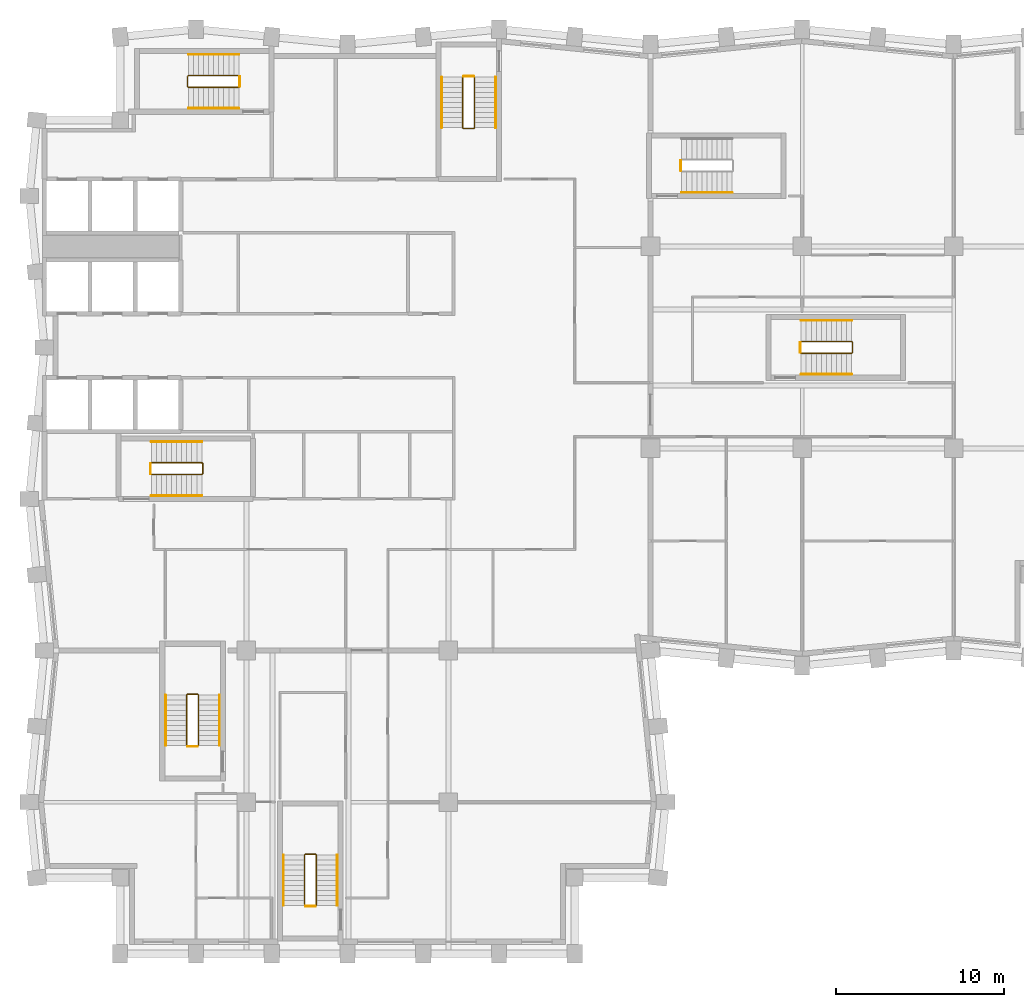
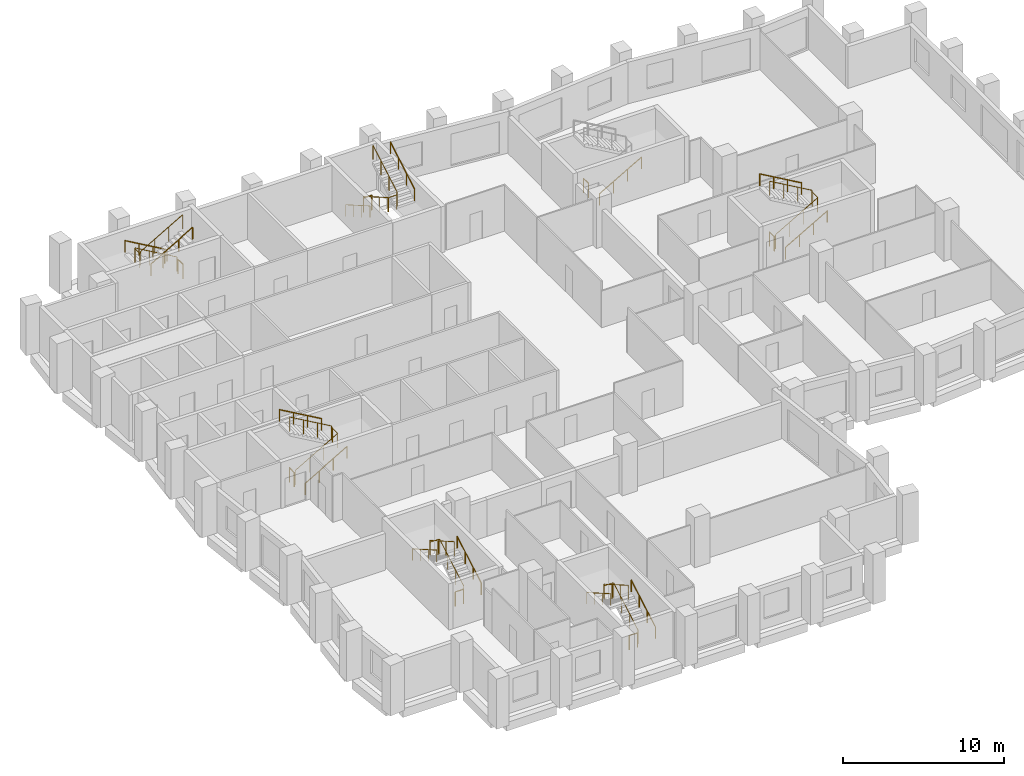
# One storey, part 9 of 10: 26 railings.
"""IFC4 building model written with IfcOpenShell, lengths in metres."""

from ifc_helpers import new_model, si_unit, direction, frame, origin, origin_2d, place, context, subcontext, project, spatial, circle, extrude, material, type_object, element, save


model = new_model("IFC4")

# Units and contexts
model_context = context("Model", 3, precision=1e-05, world=origin(), true_north=direction((0.0, 1.0)))
body_context = subcontext(model_context, "Body", "Model", "MODEL_VIEW")
ifc_project = project(units=[si_unit("LENGTHUNIT", "METRE"), si_unit("AREAUNIT", "SQUARE_METRE"), si_unit("VOLUMEUNIT", "CUBIC_METRE"), si_unit("PLANEANGLEUNIT", "RADIAN"), si_unit("MASSUNIT", "GRAM", prefix="KILO")], contexts=[model_context])

# Site, building, storey
site_placement = place(None, origin())
site = spatial("IfcSite", under=ifc_project, at=site_placement, CompositionType="ELEMENT")
building_placement = place(site_placement, origin())
building = spatial("IfcBuilding", under=site, at=building_placement, Name="Brondeck Convention Tower", CompositionType="ELEMENT")
storey_placement = place(building_placement, frame((0.0, 0.0, 170.0)))
storey = spatial("IfcBuildingStorey", under=building, at=storey_placement, Name="L41", CompositionType="ELEMENT", Elevation=170.0)

# Railings
ifc_material = material(Name="Steel S355", Category="steel")
railing_type_1 = type_object("IfcRailingType", Name="Stair guard 1100", PredefinedType="GUARDRAIL", material=ifc_material)
railing_1_placement = place(storey_placement, frame((6.35009765625, 37.449951171875, 0.172607421875)))
element("IfcRailing", 1, at=railing_1_placement, inside=storey, type_object=railing_type_1, Name="L41 ST-1 stair guard 1", PredefinedType="GUARDRAIL", context=body_context, shape_type="SweptSolid", body=[
    extrude(circle(Radius=0.02392578125, at=origin_2d()), frame((0.0, 0.0, 1.076171875), z_axis=(0.866619684472, 0.0, 0.498969260062), x_axis=(0.0, 1.0, 0.0)), (0.0, 0.0, 1.0), 3.461669921875),
    extrude(circle(Radius=0.02392578125, at=origin_2d()), frame((3.0, 0.0, 2.80322265625), z_axis=(0.705375805398, 0.708833529934, 0.0), x_axis=(-0.708833529934, 0.705375805398, 0.0)), (0.0, 0.0, 1.0), 0.070556640625),
    extrude(circle(Radius=0.02392578125, at=origin_2d()), frame((3.0498046875, 0.050048828125, 2.80322265625), z_axis=(0.0, 1.0, 0.0), x_axis=(-1.0, 0.0, 0.0)), (0.0, 0.0, 1.0), 0.60009765625),
    extrude(circle(Radius=0.02392578125, at=origin_2d()), frame((3.0498046875, 0.650146484375, 2.80322265625), z_axis=(-0.266832911964, 0.266832911964, 0.926067165051), x_axis=(-0.707106781187, -0.707106781187, 0.0)), (0.0, 0.0, 1.0), 0.186767578125),
    extrude(circle(Radius=0.02392578125, at=origin_2d()), frame((3.0, 0.699951171875, 2.97607421875), z_axis=(-0.866619684472, 0.0, 0.498969260062), x_axis=(0.0, -1.0, 0.0)), (0.0, 0.0, 1.0), 3.461669921875),
    extrude(circle(Radius=0.02099609375, at=origin_2d()), origin(), (0.0, 0.0, 1.0), 1.052001953125),
    extrude(circle(Radius=0.02099609375, at=origin_2d()), frame((1.0, 0.0, 0.57568359375)), (0.0, 0.0, 1.0), 1.052001953125),
    extrude(circle(Radius=0.02099609375, at=origin_2d()), frame((2.0, 0.0, 1.151611328125)), (0.0, 0.0, 1.0), 1.052001953125),
    extrude(circle(Radius=0.02099609375, at=origin_2d()), frame((3.0, 0.0, 1.727294921875)), (0.0, 0.0, 1.0), 1.052001953125),
    extrude(circle(Radius=0.02099609375, at=origin_2d()), frame((3.0498046875, 0.050048828125, 1.727294921875)), (0.0, 0.0, 1.0), 1.052001953125),
    extrude(circle(Radius=0.02099609375, at=origin_2d()), frame((3.0498046875, 0.650146484375, 1.727294921875)), (0.0, 0.0, 1.0), 1.052001953125),
    extrude(circle(Radius=0.02099609375, at=origin_2d()), frame((3.0, 0.699951171875, 1.900146484375)), (0.0, 0.0, 1.0), 1.052001953125),
    extrude(circle(Radius=0.02099609375, at=origin_2d()), frame((2.0, 0.699951171875, 2.475830078125)), (0.0, 0.0, 1.0), 1.052001953125),
    extrude(circle(Radius=0.02099609375, at=origin_2d()), frame((1.0, 0.699951171875, 3.0517578125)), (0.0, 0.0, 1.0), 1.052001953125),
    extrude(circle(Radius=0.02099609375, at=origin_2d()), frame((0.0, 0.699951171875, 3.62744140625)), (0.0, 0.0, 1.0), 1.052001953125),
])
railing_2_placement = place(storey_placement, frame((6.300048828125, 37.5, 0.0)))
element("IfcRailing", 2, at=railing_2_placement, inside=storey, type_object=railing_type_1, Name="L41 ST-1 stair guard 2", PredefinedType="GUARDRAIL", context=body_context, shape_type="SweptSolid", body=[
    extrude(circle(Radius=0.02392578125, at=origin_2d()), frame((0.0, 0.0, 1.076171875), z_axis=(0.0, 1.0, 0.0), x_axis=(-1.0, 0.0, 0.0)), (0.0, 0.0, 1.0), 0.60009765625),
    extrude(circle(Radius=0.02099609375, at=origin_2d()), origin(), (0.0, 0.0, 1.0), 1.052001953125),
    extrude(circle(Radius=0.02099609375, at=origin_2d()), frame((0.0, 0.60009765625, 0.0)), (0.0, 0.0, 1.0), 1.052001953125),
])
railing_3_placement = place(storey_placement, frame((24.85009765625, 61.050048828125, 0.172607421875)))
element("IfcRailing", 3, at=railing_3_placement, inside=storey, type_object=railing_type_1, Name="L41 ST-2 stair guard 1", PredefinedType="GUARDRAIL", context=body_context, shape_type="SweptSolid", body=[
    extrude(circle(Radius=0.02392578125, at=origin_2d()), frame((0.0, 0.0, 1.076171875), z_axis=(0.0, -0.866619684472, 0.498969260062), x_axis=(1.0, 0.0, 0.0)), (0.0, 0.0, 1.0), 3.461669921875),
    extrude(circle(Radius=0.02392578125, at=origin_2d()), frame((0.0, -3.0, 2.80322265625), z_axis=(0.705375805398, -0.708833529934, 0.0), x_axis=(0.708833529934, 0.705375805398, 0.0)), (0.0, 0.0, 1.0), 0.070556640625),
    extrude(circle(Radius=0.02392578125, at=origin_2d()), frame((0.0498046875, -3.050048828125, 2.80322265625), z_axis=(1.0, 0.0, 0.0), x_axis=(0.0, 1.0, 0.0)), (0.0, 0.0, 1.0), 0.60009765625),
    extrude(circle(Radius=0.02392578125, at=origin_2d()), frame((0.64990234375, -3.050048828125, 2.80322265625), z_axis=(0.267953482034, 0.267953482034, 0.925419830635), x_axis=(-0.707106781187, 0.707106781187, 0.0)), (0.0, 0.0, 1.0), 0.186767578125),
    extrude(circle(Radius=0.02392578125, at=origin_2d()), frame((0.699951171875, -3.0, 2.97607421875), z_axis=(0.0, 0.866619684472, 0.498969260062), x_axis=(-1.0, 0.0, 0.0)), (0.0, 0.0, 1.0), 3.461669921875),
    extrude(circle(Radius=0.02099609375, at=origin_2d()), origin(), (0.0, 0.0, 1.0), 1.052001953125),
    extrude(circle(Radius=0.02099609375, at=origin_2d()), frame((0.0, -1.0, 0.57568359375)), (0.0, 0.0, 1.0), 1.052001953125),
    extrude(circle(Radius=0.02099609375, at=origin_2d()), frame((0.0, -2.0, 1.151611328125)), (0.0, 0.0, 1.0), 1.052001953125),
    extrude(circle(Radius=0.02099609375, at=origin_2d()), frame((0.0, -3.0, 1.727294921875)), (0.0, 0.0, 1.0), 1.052001953125),
    extrude(circle(Radius=0.02099609375, at=origin_2d()), frame((0.0498046875, -3.050048828125, 1.727294921875)), (0.0, 0.0, 1.0), 1.052001953125),
    extrude(circle(Radius=0.02099609375, at=origin_2d()), frame((0.64990234375, -3.050048828125, 1.727294921875)), (0.0, 0.0, 1.0), 1.052001953125),
    extrude(circle(Radius=0.02099609375, at=origin_2d()), frame((0.699951171875, -3.0, 1.900146484375)), (0.0, 0.0, 1.0), 1.052001953125),
    extrude(circle(Radius=0.02099609375, at=origin_2d()), frame((0.699951171875, -2.0, 2.475830078125)), (0.0, 0.0, 1.0), 1.052001953125),
    extrude(circle(Radius=0.02099609375, at=origin_2d()), frame((0.699951171875, -1.0, 3.0517578125)), (0.0, 0.0, 1.0), 1.052001953125),
    extrude(circle(Radius=0.02099609375, at=origin_2d()), frame((0.699951171875, 0.0, 3.62744140625)), (0.0, 0.0, 1.0), 1.052001953125),
])
railing_4_placement = place(storey_placement, frame((24.89990234375, 61.10009765625, 0.0)))
element("IfcRailing", 4, at=railing_4_placement, inside=storey, type_object=railing_type_1, Name="L41 ST-2 stair guard 2", PredefinedType="GUARDRAIL", context=body_context, shape_type="SweptSolid", body=[
    extrude(circle(Radius=0.02392578125, at=origin_2d()), frame((0.0, 0.0, 1.076171875), z_axis=(1.0, 0.0, 0.0), x_axis=(0.0, 1.0, 0.0)), (0.0, 0.0, 1.0), 0.60009765625),
    extrude(circle(Radius=0.02099609375, at=origin_2d()), origin(), (0.0, 0.0, 1.0), 1.052001953125),
    extrude(circle(Radius=0.02099609375, at=origin_2d()), frame((0.60009765625, 0.0, 0.0)), (0.0, 0.0, 1.0), 1.052001953125),
])
railing_5_placement = place(storey_placement, frame((11.550048828125, 61.14990234375, 0.172607421875)))
element("IfcRailing", 5, at=railing_5_placement, inside=storey, type_object=railing_type_1, Name="L41 ST-3 stair guard 1", PredefinedType="GUARDRAIL", context=body_context, shape_type="SweptSolid", body=[
    extrude(circle(Radius=0.02392578125, at=origin_2d()), frame((0.0, 0.0, 1.076171875), z_axis=(-0.866619684472, 0.0, 0.498969260062), x_axis=(0.0, -1.0, 0.0)), (0.0, 0.0, 1.0), 3.461669921875),
    extrude(circle(Radius=0.02392578125, at=origin_2d()), frame((-3.0, 0.0, 2.80322265625), z_axis=(-0.708833529934, -0.705375805398, 0.0), x_axis=(0.705375805398, -0.708833529934, 0.0)), (0.0, 0.0, 1.0), 0.070556640625),
    extrude(circle(Radius=0.02392578125, at=origin_2d()), frame((-3.050048828125, -0.0498046875, 2.80322265625), z_axis=(0.0, -1.0, 0.0), x_axis=(1.0, 0.0, 0.0)), (0.0, 0.0, 1.0), 0.60009765625),
    extrude(circle(Radius=0.02392578125, at=origin_2d()), frame((-3.050048828125, -0.64990234375, 2.80322265625), z_axis=(0.267953482034, -0.267953482034, 0.925419830635), x_axis=(0.707106781187, 0.707106781187, 0.0)), (0.0, 0.0, 1.0), 0.186767578125),
    extrude(circle(Radius=0.02392578125, at=origin_2d()), frame((-3.0, -0.699951171875, 2.97607421875), z_axis=(0.866619684472, 0.0, 0.498969260062), x_axis=(0.0, 1.0, 0.0)), (0.0, 0.0, 1.0), 3.461669921875),
    extrude(circle(Radius=0.02099609375, at=origin_2d()), origin(), (0.0, 0.0, 1.0), 1.052001953125),
    extrude(circle(Radius=0.02099609375, at=origin_2d()), frame((-1.0, 0.0, 0.57568359375)), (0.0, 0.0, 1.0), 1.052001953125),
    extrude(circle(Radius=0.02099609375, at=origin_2d()), frame((-2.0, 0.0, 1.151611328125)), (0.0, 0.0, 1.0), 1.052001953125),
    extrude(circle(Radius=0.02099609375, at=origin_2d()), frame((-3.0, 0.0, 1.727294921875)), (0.0, 0.0, 1.0), 1.052001953125),
    extrude(circle(Radius=0.02099609375, at=origin_2d()), frame((-3.050048828125, -0.0498046875, 1.727294921875)), (0.0, 0.0, 1.0), 1.052001953125),
    extrude(circle(Radius=0.02099609375, at=origin_2d()), frame((-3.050048828125, -0.64990234375, 1.727294921875)), (0.0, 0.0, 1.0), 1.052001953125),
    extrude(circle(Radius=0.02099609375, at=origin_2d()), frame((-3.0, -0.699951171875, 1.900146484375)), (0.0, 0.0, 1.0), 1.052001953125),
    extrude(circle(Radius=0.02099609375, at=origin_2d()), frame((-2.0, -0.699951171875, 2.475830078125)), (0.0, 0.0, 1.0), 1.052001953125),
    extrude(circle(Radius=0.02099609375, at=origin_2d()), frame((-1.0, -0.699951171875, 3.0517578125)), (0.0, 0.0, 1.0), 1.052001953125),
    extrude(circle(Radius=0.02099609375, at=origin_2d()), frame((0.0, -0.699951171875, 3.62744140625)), (0.0, 0.0, 1.0), 1.052001953125),
])
railing_6_placement = place(storey_placement, frame((11.60009765625, 61.10009765625, 0.0)))
element("IfcRailing", 6, at=railing_6_placement, inside=storey, type_object=railing_type_1, Name="L41 ST-3 stair guard 2", PredefinedType="GUARDRAIL", context=body_context, shape_type="SweptSolid", body=[
    extrude(circle(Radius=0.02392578125, at=origin_2d()), frame((0.0, 0.0, 1.076171875), z_axis=(0.0, -1.0, 0.0), x_axis=(1.0, 0.0, 0.0)), (0.0, 0.0, 1.0), 0.60009765625),
    extrude(circle(Radius=0.02099609375, at=origin_2d()), origin(), (0.0, 0.0, 1.0), 1.052001953125),
    extrude(circle(Radius=0.02099609375, at=origin_2d()), frame((0.0, -0.60009765625, 0.0)), (0.0, 0.0, 1.0), 1.052001953125),
])
railing_7_placement = place(storey_placement, frame((37.800048828125, 55.5, 0.0)))
element("IfcRailing", 7, at=railing_7_placement, inside=storey, type_object=railing_type_1, Name="L41 ST-AE stair guard 2", PredefinedType="GUARDRAIL", context=body_context, shape_type="SweptSolid", body=[
    extrude(circle(Radius=0.02392578125, at=origin_2d()), frame((0.0, 0.0, 1.076171875), z_axis=(0.0, 1.0, 0.0), x_axis=(-1.0, 0.0, 0.0)), (0.0, 0.0, 1.0), 0.60009765625),
    extrude(circle(Radius=0.02099609375, at=origin_2d()), origin(), (0.0, 0.0, 1.0), 1.052001953125),
    extrude(circle(Radius=0.02099609375, at=origin_2d()), frame((0.0, 0.60009765625, 0.0)), (0.0, 0.0, 1.0), 1.052001953125),
])
railing_8_placement = place(storey_placement, frame((9.14990234375, 21.35009765625, 0.172607421875)))
element("IfcRailing", 8, at=railing_8_placement, inside=storey, type_object=railing_type_1, Name="L41 ST-BE stair guard 1", PredefinedType="GUARDRAIL", context=body_context, shape_type="SweptSolid", body=[
    extrude(circle(Radius=0.02392578125, at=origin_2d()), frame((0.0, 0.0, 1.076171875), z_axis=(0.0, 0.866619684472, 0.498969260062), x_axis=(-1.0, 0.0, 0.0)), (0.0, 0.0, 1.0), 3.461669921875),
    extrude(circle(Radius=0.02392578125, at=origin_2d()), frame((0.0, 3.0, 2.80322265625), z_axis=(-0.707106781187, 0.707106781187, 0.0), x_axis=(-0.707106781187, -0.707106781187, 0.0)), (0.0, 0.0, 1.0), 0.0703125),
    extrude(circle(Radius=0.02392578125, at=origin_2d()), frame((-0.0498046875, 3.0498046875, 2.80322265625), z_axis=(-1.0, 0.0, 0.0), x_axis=(0.0, -1.0, 0.0)), (0.0, 0.0, 1.0), 0.60009765625),
    extrude(circle(Radius=0.02392578125, at=origin_2d()), frame((-0.64990234375, 3.0498046875, 2.80322265625), z_axis=(-0.268047150085, -0.266739603011, 0.925743328097), x_axis=(0.705375805398, -0.708833529934, 0.0)), (0.0, 0.0, 1.0), 0.186767578125),
    extrude(circle(Radius=0.02392578125, at=origin_2d()), frame((-0.699951171875, 3.0, 2.97607421875), z_axis=(0.0, -0.866619684472, 0.498969260062), x_axis=(1.0, 0.0, 0.0)), (0.0, 0.0, 1.0), 3.461669921875),
    extrude(circle(Radius=0.02099609375, at=origin_2d()), origin(), (0.0, 0.0, 1.0), 1.052001953125),
    extrude(circle(Radius=0.02099609375, at=origin_2d()), frame((0.0, 1.0, 0.57568359375)), (0.0, 0.0, 1.0), 1.052001953125),
    extrude(circle(Radius=0.02099609375, at=origin_2d()), frame((0.0, 2.0, 1.151611328125)), (0.0, 0.0, 1.0), 1.052001953125),
    extrude(circle(Radius=0.02099609375, at=origin_2d()), frame((0.0, 3.0, 1.727294921875)), (0.0, 0.0, 1.0), 1.052001953125),
    extrude(circle(Radius=0.02099609375, at=origin_2d()), frame((-0.0498046875, 3.0498046875, 1.727294921875)), (0.0, 0.0, 1.0), 1.052001953125),
    extrude(circle(Radius=0.02099609375, at=origin_2d()), frame((-0.64990234375, 3.0498046875, 1.727294921875)), (0.0, 0.0, 1.0), 1.052001953125),
    extrude(circle(Radius=0.02099609375, at=origin_2d()), frame((-0.699951171875, 3.0, 1.900146484375)), (0.0, 0.0, 1.0), 1.052001953125),
    extrude(circle(Radius=0.02099609375, at=origin_2d()), frame((-0.699951171875, 2.0, 2.475830078125)), (0.0, 0.0, 1.0), 1.052001953125),
    extrude(circle(Radius=0.02099609375, at=origin_2d()), frame((-0.699951171875, 1.0, 3.0517578125)), (0.0, 0.0, 1.0), 1.052001953125),
    extrude(circle(Radius=0.02099609375, at=origin_2d()), frame((-0.699951171875, 0.0, 3.62744140625)), (0.0, 0.0, 1.0), 1.052001953125),
])
railing_9_placement = place(storey_placement, frame((9.10009765625, 21.300048828125, 0.0)))
element("IfcRailing", 9, at=railing_9_placement, inside=storey, type_object=railing_type_1, Name="L41 ST-BE stair guard 2", PredefinedType="GUARDRAIL", context=body_context, shape_type="SweptSolid", body=[
    extrude(circle(Radius=0.02392578125, at=origin_2d()), frame((0.0, 0.0, 1.076171875), z_axis=(-1.0, 0.0, 0.0), x_axis=(0.0, -1.0, 0.0)), (0.0, 0.0, 1.0), 0.60009765625),
    extrude(circle(Radius=0.02099609375, at=origin_2d()), origin(), (0.0, 0.0, 1.0), 1.052001953125),
    extrude(circle(Radius=0.02099609375, at=origin_2d()), frame((-0.60009765625, 0.0, 0.0)), (0.0, 0.0, 1.0), 1.052001953125),
])
railing_10_placement = place(storey_placement, frame((44.949951171875, 44.64990234375, 0.172607421875)))
element("IfcRailing", 10, at=railing_10_placement, inside=storey, type_object=railing_type_1, Name="L41 ST-AF stair guard 1", PredefinedType="GUARDRAIL", context=body_context, shape_type="SweptSolid", body=[
    extrude(circle(Radius=0.02392578125, at=origin_2d()), frame((0.0, 0.0, 1.076171875), z_axis=(0.866619684472, 0.0, 0.498969260062), x_axis=(0.0, 1.0, 0.0)), (0.0, 0.0, 1.0), 3.461669921875),
    extrude(circle(Radius=0.02392578125, at=origin_2d()), frame((3.0, 0.0, 2.80322265625), z_axis=(0.707106781187, 0.707106781187, 0.0), x_axis=(-0.707106781187, 0.707106781187, 0.0)), (0.0, 0.0, 1.0), 0.07080078125),
    extrude(circle(Radius=0.02392578125, at=origin_2d()), frame((3.050048828125, 0.050048828125, 2.80322265625), z_axis=(0.0, 1.0, 0.0), x_axis=(-1.0, 0.0, 0.0)), (0.0, 0.0, 1.0), 0.60009765625),
    extrude(circle(Radius=0.02392578125, at=origin_2d()), frame((3.050048828125, 0.650146484375, 2.80322265625), z_axis=(-0.267953482034, 0.267953482034, 0.925419830635), x_axis=(-0.707106781187, -0.707106781187, 0.0)), (0.0, 0.0, 1.0), 0.186767578125),
    extrude(circle(Radius=0.02392578125, at=origin_2d()), frame((3.0, 0.7001953125, 2.97607421875), z_axis=(-0.866619684472, 0.0, 0.498969260062), x_axis=(0.0, -1.0, 0.0)), (0.0, 0.0, 1.0), 3.461669921875),
    extrude(circle(Radius=0.02099609375, at=origin_2d()), origin(), (0.0, 0.0, 1.0), 1.052001953125),
    extrude(circle(Radius=0.02099609375, at=origin_2d()), frame((1.0, 0.0, 0.57568359375)), (0.0, 0.0, 1.0), 1.052001953125),
    extrude(circle(Radius=0.02099609375, at=origin_2d()), frame((2.0, 0.0, 1.151611328125)), (0.0, 0.0, 1.0), 1.052001953125),
    extrude(circle(Radius=0.02099609375, at=origin_2d()), frame((3.0, 0.0, 1.727294921875)), (0.0, 0.0, 1.0), 1.052001953125),
    extrude(circle(Radius=0.02099609375, at=origin_2d()), frame((3.050048828125, 0.050048828125, 1.727294921875)), (0.0, 0.0, 1.0), 1.052001953125),
    extrude(circle(Radius=0.02099609375, at=origin_2d()), frame((3.050048828125, 0.650146484375, 1.727294921875)), (0.0, 0.0, 1.0), 1.052001953125),
    extrude(circle(Radius=0.02099609375, at=origin_2d()), frame((3.0, 0.7001953125, 1.900146484375)), (0.0, 0.0, 1.0), 1.052001953125),
    extrude(circle(Radius=0.02099609375, at=origin_2d()), frame((2.0, 0.7001953125, 2.475830078125)), (0.0, 0.0, 1.0), 1.052001953125),
    extrude(circle(Radius=0.02099609375, at=origin_2d()), frame((1.0, 0.7001953125, 3.0517578125)), (0.0, 0.0, 1.0), 1.052001953125),
    extrude(circle(Radius=0.02099609375, at=origin_2d()), frame((0.0, 0.7001953125, 3.62744140625)), (0.0, 0.0, 1.0), 1.052001953125),
])
railing_11_placement = place(storey_placement, frame((44.89990234375, 44.699951171875, 0.0)))
element("IfcRailing", 11, at=railing_11_placement, inside=storey, type_object=railing_type_1, Name="L41 ST-AF stair guard 2", PredefinedType="GUARDRAIL", context=body_context, shape_type="SweptSolid", body=[
    extrude(circle(Radius=0.02392578125, at=origin_2d()), frame((0.0, 0.0, 1.076171875), z_axis=(0.0, 1.0, 0.0), x_axis=(-1.0, 0.0, 0.0)), (0.0, 0.0, 1.0), 0.60009765625),
    extrude(circle(Radius=0.02099609375, at=origin_2d()), origin(), (0.0, 0.0, 1.0), 1.052001953125),
    extrude(circle(Radius=0.02099609375, at=origin_2d()), frame((0.0, 0.60009765625, 0.0)), (0.0, 0.0, 1.0), 1.052001953125),
])
railing_12_placement = place(storey_placement, frame((16.14990234375, 11.85009765625, 0.172607421875)))
element("IfcRailing", 12, at=railing_12_placement, inside=storey, type_object=railing_type_1, Name="L41 ST-BF stair guard 1", PredefinedType="GUARDRAIL", context=body_context, shape_type="SweptSolid", body=[
    extrude(circle(Radius=0.02392578125, at=origin_2d()), frame((0.0, 0.0, 1.076171875), z_axis=(0.0, 0.866619684472, 0.498969260062), x_axis=(-1.0, 0.0, 0.0)), (0.0, 0.0, 1.0), 3.461669921875),
    extrude(circle(Radius=0.02392578125, at=origin_2d()), frame((0.0, 3.0, 2.80322265625), z_axis=(-0.707106781187, 0.707106781187, 0.0), x_axis=(-0.707106781187, -0.707106781187, 0.0)), (0.0, 0.0, 1.0), 0.0703125),
    extrude(circle(Radius=0.02392578125, at=origin_2d()), frame((-0.0498046875, 3.0498046875, 2.80322265625), z_axis=(-1.0, 0.0, 0.0), x_axis=(0.0, -1.0, 0.0)), (0.0, 0.0, 1.0), 0.60009765625),
    extrude(circle(Radius=0.02392578125, at=origin_2d()), frame((-0.64990234375, 3.0498046875, 2.80322265625), z_axis=(-0.268047150085, -0.266739603011, 0.925743328097), x_axis=(0.705375805398, -0.708833529934, 0.0)), (0.0, 0.0, 1.0), 0.186767578125),
    extrude(circle(Radius=0.02392578125, at=origin_2d()), frame((-0.699951171875, 3.0, 2.97607421875), z_axis=(0.0, -0.866619684472, 0.498969260062), x_axis=(1.0, 0.0, 0.0)), (0.0, 0.0, 1.0), 3.461669921875),
    extrude(circle(Radius=0.02099609375, at=origin_2d()), origin(), (0.0, 0.0, 1.0), 1.052001953125),
    extrude(circle(Radius=0.02099609375, at=origin_2d()), frame((0.0, 1.0, 0.57568359375)), (0.0, 0.0, 1.0), 1.052001953125),
    extrude(circle(Radius=0.02099609375, at=origin_2d()), frame((0.0, 2.0, 1.151611328125)), (0.0, 0.0, 1.0), 1.052001953125),
    extrude(circle(Radius=0.02099609375, at=origin_2d()), frame((0.0, 3.0, 1.727294921875)), (0.0, 0.0, 1.0), 1.052001953125),
    extrude(circle(Radius=0.02099609375, at=origin_2d()), frame((-0.0498046875, 3.0498046875, 1.727294921875)), (0.0, 0.0, 1.0), 1.052001953125),
    extrude(circle(Radius=0.02099609375, at=origin_2d()), frame((-0.64990234375, 3.0498046875, 1.727294921875)), (0.0, 0.0, 1.0), 1.052001953125),
    extrude(circle(Radius=0.02099609375, at=origin_2d()), frame((-0.699951171875, 3.0, 1.900146484375)), (0.0, 0.0, 1.0), 1.052001953125),
    extrude(circle(Radius=0.02099609375, at=origin_2d()), frame((-0.699951171875, 2.0, 2.475830078125)), (0.0, 0.0, 1.0), 1.052001953125),
    extrude(circle(Radius=0.02099609375, at=origin_2d()), frame((-0.699951171875, 1.0, 3.0517578125)), (0.0, 0.0, 1.0), 1.052001953125),
    extrude(circle(Radius=0.02099609375, at=origin_2d()), frame((-0.699951171875, 0.0, 3.62744140625)), (0.0, 0.0, 1.0), 1.052001953125),
])
railing_13_placement = place(storey_placement, frame((16.10009765625, 11.800048828125, 0.0)))
element("IfcRailing", 13, at=railing_13_placement, inside=storey, type_object=railing_type_1, Name="L41 ST-BF stair guard 2", PredefinedType="GUARDRAIL", context=body_context, shape_type="SweptSolid", body=[
    extrude(circle(Radius=0.02392578125, at=origin_2d()), frame((0.0, 0.0, 1.076171875), z_axis=(-1.0, 0.0, 0.0), x_axis=(0.0, -1.0, 0.0)), (0.0, 0.0, 1.0), 0.60009765625),
    extrude(circle(Radius=0.02099609375, at=origin_2d()), origin(), (0.0, 0.0, 1.0), 1.052001953125),
    extrude(circle(Radius=0.02099609375, at=origin_2d()), frame((-0.60009765625, 0.0, 0.0)), (0.0, 0.0, 1.0), 1.052001953125),
])
railing_type_2 = type_object("IfcRailingType", Name="Stair handrail", PredefinedType="HANDRAIL", material=ifc_material)
railing_14_placement = place(storey_placement, frame((6.35009765625, 36.199951171875, 0.172607421875)))
element("IfcRailing", 14, at=railing_14_placement, inside=storey, type_object=railing_type_2, Name="L41 ST-1 stair handrail 1", PredefinedType="HANDRAIL", context=body_context, shape_type="SweptSolid", body=[
    extrude(circle(Radius=0.02392578125, at=origin_2d()), frame((0.0, 0.0, 0.8759765625), z_axis=(0.866619684472, 0.0, 0.498969260062), x_axis=(0.0, 1.0, 0.0)), (0.0, 0.0, 1.0), 3.461669921875),
    extrude(circle(Radius=0.02099609375, at=origin_2d()), origin(), (0.0, 0.0, 1.0), 0.851806640625),
    extrude(circle(Radius=0.02099609375, at=origin_2d()), frame((1.0, 0.0, 0.57568359375)), (0.0, 0.0, 1.0), 0.851806640625),
    extrude(circle(Radius=0.02099609375, at=origin_2d()), frame((2.0, 0.0, 1.151611328125)), (0.0, 0.0, 1.0), 0.851806640625),
    extrude(circle(Radius=0.02099609375, at=origin_2d()), frame((3.0, 0.0, 1.727294921875)), (0.0, 0.0, 1.0), 0.851806640625),
])
railing_15_placement = place(storey_placement, frame((9.35009765625, 39.39990234375, 2.07275390625)))
element("IfcRailing", 15, at=railing_15_placement, inside=storey, type_object=railing_type_2, Name="L41 ST-1 stair handrail 2", PredefinedType="HANDRAIL", context=body_context, shape_type="SweptSolid", body=[
    extrude(circle(Radius=0.02392578125, at=origin_2d()), frame((0.0, 0.0, 0.8759765625), z_axis=(-0.866619684472, 0.0, 0.498969260062), x_axis=(0.0, -1.0, 0.0)), (0.0, 0.0, 1.0), 3.461669921875),
    extrude(circle(Radius=0.02099609375, at=origin_2d()), origin(), (0.0, 0.0, 1.0), 0.851806640625),
    extrude(circle(Radius=0.02099609375, at=origin_2d()), frame((-1.0, 0.0, 0.57568359375)), (0.0, 0.0, 1.0), 0.851806640625),
    extrude(circle(Radius=0.02099609375, at=origin_2d()), frame((-2.0, 0.0, 1.151611328125)), (0.0, 0.0, 1.0), 0.851806640625),
    extrude(circle(Radius=0.02099609375, at=origin_2d()), frame((-3.0, 0.0, 1.727294921875)), (0.0, 0.0, 1.0), 0.851806640625),
])
railing_16_placement = place(storey_placement, frame((23.60009765625, 61.050048828125, 0.172607421875)))
element("IfcRailing", 16, at=railing_16_placement, inside=storey, type_object=railing_type_2, Name="L41 ST-2 stair handrail 1", PredefinedType="HANDRAIL", context=body_context, shape_type="SweptSolid", body=[
    extrude(circle(Radius=0.02392578125, at=origin_2d()), frame((0.0, 0.0, 0.8759765625), z_axis=(0.0, -0.866619684472, 0.498969260062), x_axis=(1.0, 0.0, 0.0)), (0.0, 0.0, 1.0), 3.461669921875),
    extrude(circle(Radius=0.02099609375, at=origin_2d()), origin(), (0.0, 0.0, 1.0), 0.851806640625),
    extrude(circle(Radius=0.02099609375, at=origin_2d()), frame((0.0, -1.0, 0.57568359375)), (0.0, 0.0, 1.0), 0.851806640625),
    extrude(circle(Radius=0.02099609375, at=origin_2d()), frame((0.0, -2.0, 1.151611328125)), (0.0, 0.0, 1.0), 0.851806640625),
    extrude(circle(Radius=0.02099609375, at=origin_2d()), frame((0.0, -3.0, 1.727294921875)), (0.0, 0.0, 1.0), 0.851806640625),
])
railing_17_placement = place(storey_placement, frame((26.800048828125, 58.050048828125, 2.07275390625)))
element("IfcRailing", 17, at=railing_17_placement, inside=storey, type_object=railing_type_2, Name="L41 ST-2 stair handrail 2", PredefinedType="HANDRAIL", context=body_context, shape_type="SweptSolid", body=[
    extrude(circle(Radius=0.02392578125, at=origin_2d()), frame((0.0, 0.0, 0.8759765625), z_axis=(0.0, 0.866619684472, 0.498969260062), x_axis=(-1.0, 0.0, 0.0)), (0.0, 0.0, 1.0), 3.461669921875),
    extrude(circle(Radius=0.02099609375, at=origin_2d()), origin(), (0.0, 0.0, 1.0), 0.851806640625),
    extrude(circle(Radius=0.02099609375, at=origin_2d()), frame((0.0, 1.0, 0.57568359375)), (0.0, 0.0, 1.0), 0.851806640625),
    extrude(circle(Radius=0.02099609375, at=origin_2d()), frame((0.0, 2.0, 1.151611328125)), (0.0, 0.0, 1.0), 0.851806640625),
    extrude(circle(Radius=0.02099609375, at=origin_2d()), frame((0.0, 3.0, 1.727294921875)), (0.0, 0.0, 1.0), 0.851806640625),
])
railing_18_placement = place(storey_placement, frame((11.550048828125, 62.39990234375, 0.172607421875)))
element("IfcRailing", 18, at=railing_18_placement, inside=storey, type_object=railing_type_2, Name="L41 ST-3 stair handrail 1", PredefinedType="HANDRAIL", context=body_context, shape_type="SweptSolid", body=[
    extrude(circle(Radius=0.02392578125, at=origin_2d()), frame((0.0, 0.0, 0.8759765625), z_axis=(-0.866619684472, 0.0, 0.498969260062), x_axis=(0.0, -1.0, 0.0)), (0.0, 0.0, 1.0), 3.461669921875),
    extrude(circle(Radius=0.02099609375, at=origin_2d()), origin(), (0.0, 0.0, 1.0), 0.851806640625),
    extrude(circle(Radius=0.02099609375, at=origin_2d()), frame((-1.0, 0.0, 0.57568359375)), (0.0, 0.0, 1.0), 0.851806640625),
    extrude(circle(Radius=0.02099609375, at=origin_2d()), frame((-2.0, 0.0, 1.151611328125)), (0.0, 0.0, 1.0), 0.851806640625),
    extrude(circle(Radius=0.02099609375, at=origin_2d()), frame((-3.0, 0.0, 1.727294921875)), (0.0, 0.0, 1.0), 0.851806640625),
])
for number, where, name in (
    (19, (8.550048828125, 59.199951171875, 2.07275390625), "L41 ST-3 stair handrail 2"),
    (20, (37.85009765625, 54.199951171875, 0.172607421875), "L41 ST-AE stair handrail 1"),
):
    element("IfcRailing", number, at=place(storey_placement, frame(where)), inside=storey, type_object=railing_type_2, Name=name, PredefinedType="HANDRAIL", context=body_context, shape_type="SweptSolid", body=[
        extrude(circle(Radius=0.02392578125, at=origin_2d()), frame((0.0, 0.0, 0.8759765625), z_axis=(0.866619684472, 0.0, 0.498969260062), x_axis=(0.0, 1.0, 0.0)), (0.0, 0.0, 1.0), 3.461669921875),
        extrude(circle(Radius=0.02099609375, at=origin_2d()), origin(), (0.0, 0.0, 1.0), 0.851806640625),
        extrude(circle(Radius=0.02099609375, at=origin_2d()), frame((1.0, 0.0, 0.57568359375)), (0.0, 0.0, 1.0), 0.851806640625),
        extrude(circle(Radius=0.02099609375, at=origin_2d()), frame((2.0, 0.0, 1.151611328125)), (0.0, 0.0, 1.0), 0.851806640625),
        extrude(circle(Radius=0.02099609375, at=origin_2d()), frame((3.0, 0.0, 1.727294921875)), (0.0, 0.0, 1.0), 0.851806640625),
    ])
railing_19_placement = place(storey_placement, frame((10.39990234375, 21.35009765625, 0.172607421875)))
element("IfcRailing", 21, at=railing_19_placement, inside=storey, type_object=railing_type_2, Name="L41 ST-BE stair handrail 1", PredefinedType="HANDRAIL", context=body_context, shape_type="SweptSolid", body=[
    extrude(circle(Radius=0.02392578125, at=origin_2d()), frame((0.0, 0.0, 0.8759765625), z_axis=(0.0, 0.866619684472, 0.498969260062), x_axis=(-1.0, 0.0, 0.0)), (0.0, 0.0, 1.0), 3.461669921875),
    extrude(circle(Radius=0.02099609375, at=origin_2d()), origin(), (0.0, 0.0, 1.0), 0.851806640625),
    extrude(circle(Radius=0.02099609375, at=origin_2d()), frame((0.0, 1.0, 0.57568359375)), (0.0, 0.0, 1.0), 0.851806640625),
    extrude(circle(Radius=0.02099609375, at=origin_2d()), frame((0.0, 2.0, 1.151611328125)), (0.0, 0.0, 1.0), 0.851806640625),
    extrude(circle(Radius=0.02099609375, at=origin_2d()), frame((0.0, 3.0, 1.727294921875)), (0.0, 0.0, 1.0), 0.851806640625),
])
railing_20_placement = place(storey_placement, frame((7.199951171875, 24.35009765625, 2.07275390625)))
element("IfcRailing", 22, at=railing_20_placement, inside=storey, type_object=railing_type_2, Name="L41 ST-BE stair handrail 2", PredefinedType="HANDRAIL", context=body_context, shape_type="SweptSolid", body=[
    extrude(circle(Radius=0.02392578125, at=origin_2d()), frame((0.0, 0.0, 0.8759765625), z_axis=(0.0, -0.866619684472, 0.498969260062), x_axis=(1.0, 0.0, 0.0)), (0.0, 0.0, 1.0), 3.461669921875),
    extrude(circle(Radius=0.02099609375, at=origin_2d()), origin(), (0.0, 0.0, 1.0), 0.851806640625),
    extrude(circle(Radius=0.02099609375, at=origin_2d()), frame((0.0, -1.0, 0.57568359375)), (0.0, 0.0, 1.0), 0.851806640625),
    extrude(circle(Radius=0.02099609375, at=origin_2d()), frame((0.0, -2.0, 1.151611328125)), (0.0, 0.0, 1.0), 0.851806640625),
    extrude(circle(Radius=0.02099609375, at=origin_2d()), frame((0.0, -3.0, 1.727294921875)), (0.0, 0.0, 1.0), 0.851806640625),
])
railing_21_placement = place(storey_placement, frame((44.949951171875, 43.39990234375, 0.172607421875)))
element("IfcRailing", 23, at=railing_21_placement, inside=storey, type_object=railing_type_2, Name="L41 ST-AF stair handrail 1", PredefinedType="HANDRAIL", context=body_context, shape_type="SweptSolid", body=[
    extrude(circle(Radius=0.02392578125, at=origin_2d()), frame((0.0, 0.0, 0.8759765625), z_axis=(0.866619684472, 0.0, 0.498969260062), x_axis=(0.0, 1.0, 0.0)), (0.0, 0.0, 1.0), 3.461669921875),
    extrude(circle(Radius=0.02099609375, at=origin_2d()), origin(), (0.0, 0.0, 1.0), 0.851806640625),
    extrude(circle(Radius=0.02099609375, at=origin_2d()), frame((1.0, 0.0, 0.57568359375)), (0.0, 0.0, 1.0), 0.851806640625),
    extrude(circle(Radius=0.02099609375, at=origin_2d()), frame((2.0, 0.0, 1.151611328125)), (0.0, 0.0, 1.0), 0.851806640625),
    extrude(circle(Radius=0.02099609375, at=origin_2d()), frame((3.0, 0.0, 1.727294921875)), (0.0, 0.0, 1.0), 0.851806640625),
])
railing_22_placement = place(storey_placement, frame((47.949951171875, 46.60009765625, 2.07275390625)))
element("IfcRailing", 24, at=railing_22_placement, inside=storey, type_object=railing_type_2, Name="L41 ST-AF stair handrail 2", PredefinedType="HANDRAIL", context=body_context, shape_type="SweptSolid", body=[
    extrude(circle(Radius=0.02392578125, at=origin_2d()), frame((0.0, 0.0, 0.8759765625), z_axis=(-0.866619684472, 0.0, 0.498969260062), x_axis=(0.0, -1.0, 0.0)), (0.0, 0.0, 1.0), 3.461669921875),
    extrude(circle(Radius=0.02099609375, at=origin_2d()), origin(), (0.0, 0.0, 1.0), 0.851806640625),
    extrude(circle(Radius=0.02099609375, at=origin_2d()), frame((-1.0, 0.0, 0.57568359375)), (0.0, 0.0, 1.0), 0.851806640625),
    extrude(circle(Radius=0.02099609375, at=origin_2d()), frame((-2.0, 0.0, 1.151611328125)), (0.0, 0.0, 1.0), 0.851806640625),
    extrude(circle(Radius=0.02099609375, at=origin_2d()), frame((-3.0, 0.0, 1.727294921875)), (0.0, 0.0, 1.0), 0.851806640625),
])
railing_23_placement = place(storey_placement, frame((17.39990234375, 11.85009765625, 0.172607421875)))
element("IfcRailing", 25, at=railing_23_placement, inside=storey, type_object=railing_type_2, Name="L41 ST-BF stair handrail 1", PredefinedType="HANDRAIL", context=body_context, shape_type="SweptSolid", body=[
    extrude(circle(Radius=0.02392578125, at=origin_2d()), frame((0.0, 0.0, 0.8759765625), z_axis=(0.0, 0.866619684472, 0.498969260062), x_axis=(-1.0, 0.0, 0.0)), (0.0, 0.0, 1.0), 3.461669921875),
    extrude(circle(Radius=0.02099609375, at=origin_2d()), origin(), (0.0, 0.0, 1.0), 0.851806640625),
    extrude(circle(Radius=0.02099609375, at=origin_2d()), frame((0.0, 1.0, 0.57568359375)), (0.0, 0.0, 1.0), 0.851806640625),
    extrude(circle(Radius=0.02099609375, at=origin_2d()), frame((0.0, 2.0, 1.151611328125)), (0.0, 0.0, 1.0), 0.851806640625),
    extrude(circle(Radius=0.02099609375, at=origin_2d()), frame((0.0, 3.0, 1.727294921875)), (0.0, 0.0, 1.0), 0.851806640625),
])
railing_24_placement = place(storey_placement, frame((14.199951171875, 14.85009765625, 2.07275390625)))
element("IfcRailing", 26, at=railing_24_placement, inside=storey, type_object=railing_type_2, Name="L41 ST-BF stair handrail 2", PredefinedType="HANDRAIL", context=body_context, shape_type="SweptSolid", body=[
    extrude(circle(Radius=0.02392578125, at=origin_2d()), frame((0.0, 0.0, 0.8759765625), z_axis=(0.0, -0.866619684472, 0.498969260062), x_axis=(1.0, 0.0, 0.0)), (0.0, 0.0, 1.0), 3.461669921875),
    extrude(circle(Radius=0.02099609375, at=origin_2d()), origin(), (0.0, 0.0, 1.0), 0.851806640625),
    extrude(circle(Radius=0.02099609375, at=origin_2d()), frame((0.0, -1.0, 0.57568359375)), (0.0, 0.0, 1.0), 0.851806640625),
    extrude(circle(Radius=0.02099609375, at=origin_2d()), frame((0.0, -2.0, 1.151611328125)), (0.0, 0.0, 1.0), 0.851806640625),
    extrude(circle(Radius=0.02099609375, at=origin_2d()), frame((0.0, -3.0, 1.727294921875)), (0.0, 0.0, 1.0), 0.851806640625),
])

save(model, "model.ifc")
